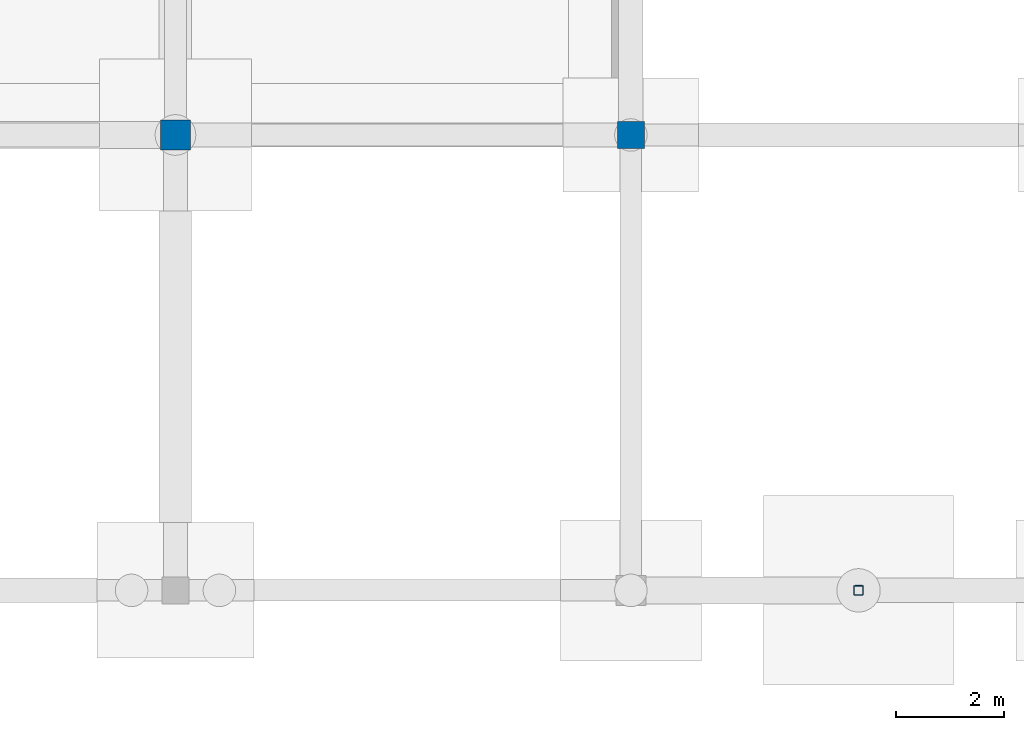
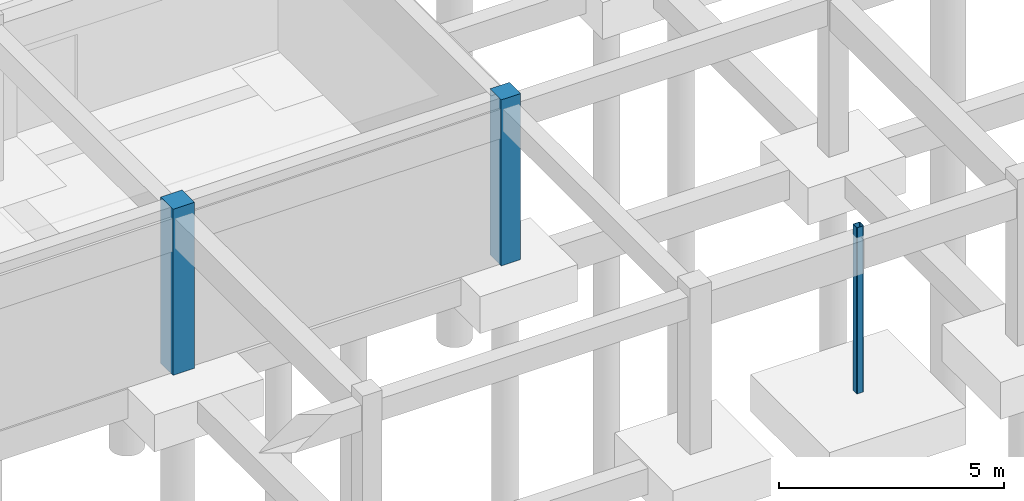
# One storey, part 9 of 43: 3 columns.
"""IFC4 building model written with IfcOpenShell, lengths in metres."""

from ifc_helpers import new_model, si_unit, derived_unit, direction, frame, origin, origin_2d, place, context, subcontext, project, spatial, rectangle, hollow_rectangle, extrude, material, material_profile, profile_set, type_object, element, save


model = new_model("IFC4")

# Units and contexts
model_context = context("Model", 3, precision=1e-05, world=origin(), true_north=direction((0.0, 1.0)))
body_context = subcontext(model_context, "Body", "Model", "MODEL_VIEW")
ifc_project = project(units=[si_unit("LENGTHUNIT", "METRE"), si_unit("AREAUNIT", "SQUARE_METRE"), si_unit("VOLUMEUNIT", "CUBIC_METRE"), si_unit("PLANEANGLEUNIT", "RADIAN"), si_unit("MASSUNIT", "GRAM", prefix="KILO"), derived_unit("THERMALTRANSMITTANCEUNIT", [(si_unit("POWERUNIT", "WATT"), 1), (si_unit("AREAUNIT", "SQUARE_METRE"), -1), (si_unit("THERMODYNAMICTEMPERATUREUNIT", "KELVIN"), -1)])], contexts=[model_context])

# Site, building, storey
site_placement = place(None, origin())
site = spatial("IfcSite", under=ifc_project, at=site_placement, CompositionType="ELEMENT")
building_placement = place(site_placement, origin())
building = spatial("IfcBuilding", under=site, at=building_placement, Name="Yasenodar Specialist Clinic", CompositionType="ELEMENT")
storey_placement = place(building_placement, frame((0.0, 0.0, -4.5)))
storey = spatial("IfcBuildingStorey", under=building, at=storey_placement, Name="B1", CompositionType="ELEMENT", Elevation=-4.5)

# Columns
ifc_material_1 = material(Name="Concrete C35/45", Category="concrete")
ifc_material_profile_1 = material_profile(ifc_material_1, rectangle(XDim=0.5, YDim=0.5, at=origin_2d()), Name="RC 500x500")
ifc_profile_set_1 = profile_set([ifc_material_profile_1], Name="Concrete C35/45")
column_type_1 = type_object("IfcColumnType", Name="COL-RC-500", PredefinedType="COLUMN", material=ifc_profile_set_1)
column_1_placement = place(storey_placement, frame((25.199951171875, 8.39990234375, 0.0), z_axis=(0.0, 0.0, 1.0), x_axis=(1.0, 0.0, 0.0)))
element("IfcColumn", 1, at=column_1_placement, inside=storey, type_object=column_type_1, Name="B1 Column V2-047", PredefinedType="COLUMN", context=body_context, shape_type="SweptSolid", body=[
    extrude(rectangle(XDim=0.5, YDim=0.5, at=origin_2d()), origin(), (0.0, 0.0, 1.0), 4.5),
])
ifc_material_profile_2 = material_profile(ifc_material_1, rectangle(XDim=0.550048828125, YDim=0.550048828125, at=origin_2d()), Name="RC 550x550")
ifc_profile_set_2 = profile_set([ifc_material_profile_2], Name="Concrete C35/45")
column_type_2 = type_object("IfcColumnType", Name="COL-RC-550", PredefinedType="COLUMN", material=ifc_profile_set_2)
column_2_placement = place(storey_placement, frame((16.800048828125, 8.39990234375, 0.0), z_axis=(0.0, 0.0, 1.0), x_axis=(1.0, 0.0, 0.0)))
element("IfcColumn", 2, at=column_2_placement, inside=storey, type_object=column_type_2, Name="B1 Column V2-032", PredefinedType="COLUMN", context=body_context, shape_type="SweptSolid", body=[
    extrude(rectangle(XDim=0.550048828125, YDim=0.550048828125, at=origin_2d()), origin(), (0.0, 0.0, 1.0), 4.5),
])
ifc_material_2 = material(Name="Steel S355", Category="steel")
ifc_material_profile_3 = material_profile(ifc_material_2, hollow_rectangle(XDim=0.179931640625, YDim=0.179931640625, WallThickness=0.010009765625, InnerFilletRadius=0.014892578125, OuterFilletRadius=0.02490234375, at=origin_2d()), Name="SHS 180x180x10")
ifc_profile_set_3 = profile_set([ifc_material_profile_3], Name="Steel S355")
column_type_3 = type_object("IfcColumnType", Name="PIL-ST-SHS180", PredefinedType="PILASTER", material=ifc_profile_set_3)
column_3_placement = place(storey_placement, frame((29.39990234375, 0.0, 0.0), z_axis=(0.0, 0.0, 1.0), x_axis=(1.0, 0.0, 0.0)))
element("IfcColumn", 3, at=column_3_placement, inside=storey, type_object=column_type_3, Name="B1 Arcade Pilaster 08", PredefinedType="PILASTER", context=body_context, shape_type="SweptSolid", body=[
    extrude(hollow_rectangle(XDim=0.179931640625, YDim=0.179931640625, WallThickness=0.010009765625, InnerFilletRadius=0.014892578125, OuterFilletRadius=0.02490234375, at=origin_2d()), origin(), (0.0, 0.0, 1.0), 4.5),
])

save(model, "model.ifc")
